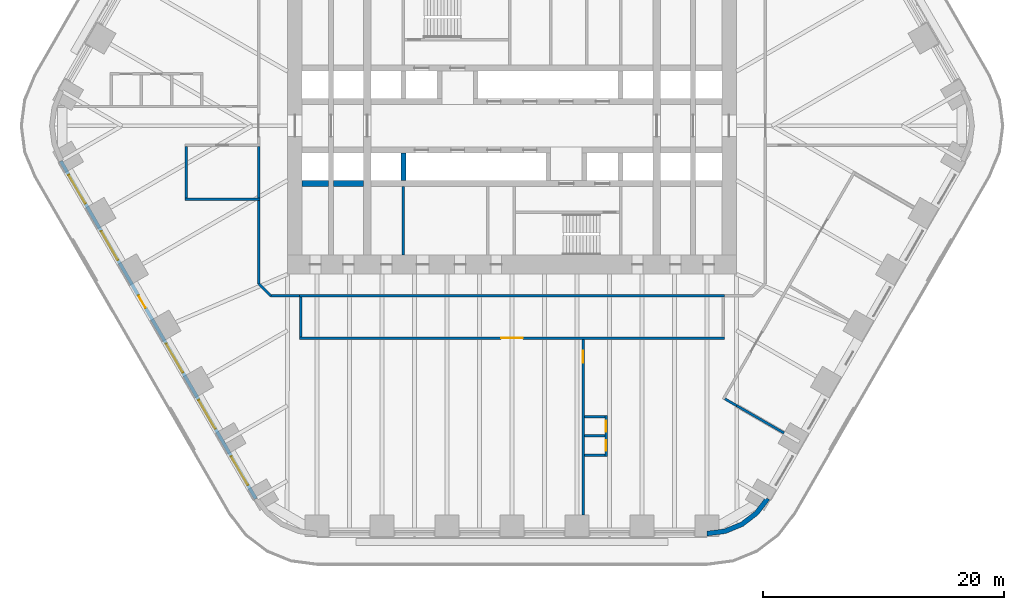
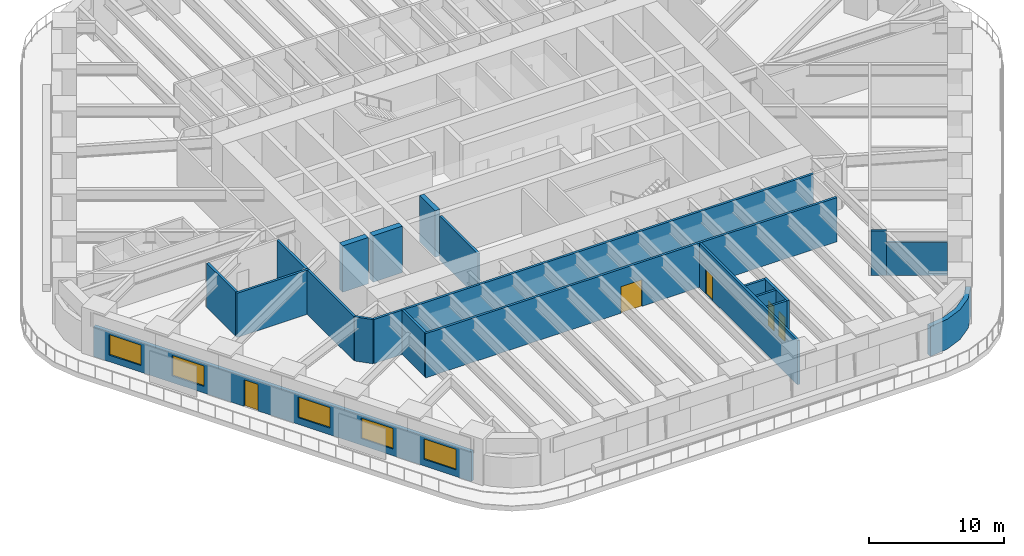
# One storey, part 16 of 23: 22 walls, 5 doors, 5 windows, 10 openings.
"""IFC4 building model written with IfcOpenShell, lengths in metres."""

from ifc_helpers import new_model, si_unit, direction, frame, frame_2d, origin, place, context, subcontext, project, spatial, polyline, rectangle, outline, extrude, material, layer, layer_set, type_object, element, fill, save


model = new_model("IFC4")

# Units and contexts
model_context = context("Model", 3, precision=1e-05, world=origin(), true_north=direction((0.0, 1.0)))
body_context = subcontext(model_context, "Body", "Model", "MODEL_VIEW")
ifc_project = project(units=[si_unit("LENGTHUNIT", "METRE"), si_unit("AREAUNIT", "SQUARE_METRE"), si_unit("VOLUMEUNIT", "CUBIC_METRE"), si_unit("PLANEANGLEUNIT", "RADIAN"), si_unit("MASSUNIT", "GRAM", prefix="KILO")], contexts=[model_context])

# Site, building, storey
site_placement = place(None, origin())
site = spatial("IfcSite", under=ifc_project, at=site_placement, CompositionType="ELEMENT")
building_placement = place(site_placement, origin())
building = spatial("IfcBuilding", under=site, at=building_placement, Name="Tarfa Lantern Tower", CompositionType="ELEMENT")
storey_placement = place(building_placement, frame((0.0, 0.0, 57.10009765625)))
storey = spatial("IfcBuildingStorey", under=building, at=storey_placement, Name="L12", CompositionType="ELEMENT", Elevation=57.10009765625)

# Wall, openings, door, windows
ifc_material_1 = material(Name="Limestone cladding on blockwork", Category="masonry")
ifc_layer_1 = layer(ifc_material_1, 0.300048828125)
ifc_layer_set_1 = layer_set([ifc_layer_1], Name="EW1 STONE-CLAD WALL 300")
wall_type_1 = type_object("IfcWallType", Name="EW1 STONE-CLAD WALL 300", PredefinedType="SOLIDWALL", material=ifc_layer_set_1)
wall_1_placement = place(storey_placement, frame((-37.39794921875, -2.925048828125, 0.0), z_axis=(0.0, 0.0, 1.0), x_axis=(0.499999163675, -0.866025886636, 0.0)))
wall_1 = element("IfcWall", 1, at=wall_1_placement, inside=storey, type_object=wall_type_1, Name="Stone wall SW", PredefinedType="SOLIDWALL", context=body_context, shape_type="SweptSolid", body=[
    extrude(rectangle(XDim=32.33154296875, YDim=0.300048828125, at=frame_2d((16.165771484375, 0.0))), origin(), (0.0, 0.0, 1.0), 2.699951171875),
])
opening_1_placement = place(wall_1_placement, frame((1.3193359375, 0.0, 0.60009765625)))
opening_1 = element("IfcOpeningElement", 2, at=opening_1_placement, cuts=wall_1, Name="Opening W2", PredefinedType="OPENING", context=body_context, shape_type="SweptSolid", body=[
    extrude(rectangle(XDim=2.75, YDim=1.85009765625, at=frame_2d((1.375, 0.925048828125))), frame((0.0, 0.159912109375, 0.0), z_axis=(0.0, -1.0, 0.0), x_axis=(1.0, 0.0, 0.0)), (0.0, 0.0, 1.0), 0.320068359375),
])
opening_2_placement = place(wall_1_placement, frame((6.7080078125, 0.0, 0.60009765625)))
opening_2 = element("IfcOpeningElement", 3, at=opening_2_placement, cuts=wall_1, Name="Opening W2", PredefinedType="OPENING", context=body_context, shape_type="SweptSolid", body=[
    extrude(rectangle(XDim=2.75, YDim=1.85009765625, at=frame_2d((1.375, 0.925048828125))), frame((0.0, 0.159912109375, 0.0), z_axis=(0.0, -1.0, 0.0), x_axis=(1.0, 0.0, 0.0)), (0.0, 0.0, 1.0), 0.320068359375),
])
opening_3_placement = place(wall_1_placement, frame((12.87158203125, 0.0, 0.0)))
opening_3 = element("IfcOpeningElement", 4, at=opening_3_placement, cuts=wall_1, Name="Opening D51", PredefinedType="OPENING", context=body_context, shape_type="SweptSolid", body=[
    extrude(rectangle(XDim=1.199951171875, YDim=2.39990234375, at=frame_2d((0.60009765625, 1.199951171875))), frame((0.0, 0.159912109375, 0.0), z_axis=(0.0, -1.0, 0.0), x_axis=(1.0, 0.0, 0.0)), (0.0, 0.0, 1.0), 0.320068359375),
])
opening_4_placement = place(wall_1_placement, frame((17.485107421875, 0.0, 0.60009765625)))
opening_4 = element("IfcOpeningElement", 5, at=opening_4_placement, cuts=wall_1, Name="Opening W2", PredefinedType="OPENING", context=body_context, shape_type="SweptSolid", body=[
    extrude(rectangle(XDim=2.75, YDim=1.85009765625, at=frame_2d((1.375, 0.925048828125))), frame((0.0, 0.159912109375, 0.0), z_axis=(0.0, -1.0, 0.0), x_axis=(1.0, 0.0, 0.0)), (0.0, 0.0, 1.0), 0.320068359375),
])
opening_5_placement = place(wall_1_placement, frame((22.873779296875, 0.0, 0.60009765625)))
opening_5 = element("IfcOpeningElement", 6, at=opening_5_placement, cuts=wall_1, Name="Opening W2", PredefinedType="OPENING", context=body_context, shape_type="SweptSolid", body=[
    extrude(rectangle(XDim=2.75, YDim=1.85009765625, at=frame_2d((1.375, 0.925048828125))), frame((0.0, 0.159912109375, 0.0), z_axis=(0.0, -1.0, 0.0), x_axis=(1.0, 0.0, 0.0)), (0.0, 0.0, 1.0), 0.320068359375),
])
opening_6_placement = place(wall_1_placement, frame((28.26220703125, 0.0, 0.60009765625)))
opening_6 = element("IfcOpeningElement", 7, at=opening_6_placement, cuts=wall_1, Name="Opening W2", PredefinedType="OPENING", context=body_context, shape_type="SweptSolid", body=[
    extrude(rectangle(XDim=2.75, YDim=1.85009765625, at=frame_2d((1.375, 0.925048828125))), frame((0.0, 0.159912109375, 0.0), z_axis=(0.0, -1.0, 0.0), x_axis=(1.0, 0.0, 0.0)), (0.0, 0.0, 1.0), 0.320068359375),
])
ifc_material_2 = material(Name="Aluminium framed glazed door", Category="aluminium")
door_type_1 = type_object("IfcDoorType", Name="BE3 BALCONY DOOR 1200x2400", OperationType="SINGLE_SWING_RIGHT", PredefinedType="DOOR", material=ifc_material_2)
door_1_placement = place(opening_3_placement, origin())
door_1 = element("IfcDoor", 8, at=door_1_placement, inside=storey, type_object=door_type_1, Name="Balcony door SW", OperationType="SINGLE_SWING_RIGHT", OverallHeight=2.39990234375, OverallWidth=1.199951171875, PredefinedType="DOOR", context=body_context, shape_type="SweptSolid", body=[
    extrude(rectangle(XDim=1.199951171875, YDim=2.39990234375, at=frame_2d((0.60009765625, 1.199951171875))), frame((0.0, 0.02490234375, 0.0), z_axis=(0.0, -1.0, 0.0), x_axis=(1.0, 0.0, 0.0)), (0.0, 0.0, 1.0), 0.050048828125),
])
fill(opening_3, door_1)
ifc_material_3 = material(Name="Aluminium frame, double glazed", Category="aluminium")
window_type = type_object("IfcWindowType", Name="W2 FULL-HEIGHT GLAZING 2750x1850", PartitioningType="SINGLE_PANEL", PredefinedType="WINDOW", material=ifc_material_3)
window_1_placement = place(opening_1_placement, origin())
window_1 = element("IfcWindow", 9, at=window_1_placement, inside=storey, type_object=window_type, Name="Window SW 1", OverallHeight=1.85009765625, OverallWidth=2.75, PartitioningType="SINGLE_PANEL", PredefinedType="WINDOW", context=body_context, shape_type="SweptSolid", body=[
    extrude(rectangle(XDim=2.75, YDim=1.85009765625, at=frame_2d((1.375, 0.925048828125))), frame((0.0, 0.030029296875, 0.0), z_axis=(0.0, -1.0, 0.0), x_axis=(1.0, 0.0, 0.0)), (0.0, 0.0, 1.0), 0.06005859375),
])
fill(opening_1, window_1)
window_2_placement = place(opening_2_placement, origin())
window_2 = element("IfcWindow", 10, at=window_2_placement, inside=storey, type_object=window_type, Name="Window SW 2", OverallHeight=1.85009765625, OverallWidth=2.75, PartitioningType="SINGLE_PANEL", PredefinedType="WINDOW", context=body_context, shape_type="SweptSolid", body=[
    extrude(rectangle(XDim=2.75, YDim=1.85009765625, at=frame_2d((1.375, 0.925048828125))), frame((0.0, 0.030029296875, 0.0), z_axis=(0.0, -1.0, 0.0), x_axis=(1.0, 0.0, 0.0)), (0.0, 0.0, 1.0), 0.06005859375),
])
fill(opening_2, window_2)
window_3_placement = place(opening_4_placement, origin())
window_3 = element("IfcWindow", 11, at=window_3_placement, inside=storey, type_object=window_type, Name="Window SW 4", OverallHeight=1.85009765625, OverallWidth=2.75, PartitioningType="SINGLE_PANEL", PredefinedType="WINDOW", context=body_context, shape_type="SweptSolid", body=[
    extrude(rectangle(XDim=2.75, YDim=1.85009765625, at=frame_2d((1.375, 0.925048828125))), frame((0.0, 0.030029296875, 0.0), z_axis=(0.0, -1.0, 0.0), x_axis=(1.0, 0.0, 0.0)), (0.0, 0.0, 1.0), 0.06005859375),
])
fill(opening_4, window_3)
window_4_placement = place(opening_5_placement, origin())
window_4 = element("IfcWindow", 12, at=window_4_placement, inside=storey, type_object=window_type, Name="Window SW 5", OverallHeight=1.85009765625, OverallWidth=2.75, PartitioningType="SINGLE_PANEL", PredefinedType="WINDOW", context=body_context, shape_type="SweptSolid", body=[
    extrude(rectangle(XDim=2.75, YDim=1.85009765625, at=frame_2d((1.375, 0.925048828125))), frame((0.0, 0.030029296875, 0.0), z_axis=(0.0, -1.0, 0.0), x_axis=(1.0, 0.0, 0.0)), (0.0, 0.0, 1.0), 0.06005859375),
])
fill(opening_5, window_4)
window_5_placement = place(opening_6_placement, origin())
window_5 = element("IfcWindow", 13, at=window_5_placement, inside=storey, type_object=window_type, Name="Window SW 6", OverallHeight=1.85009765625, OverallWidth=2.75, PartitioningType="SINGLE_PANEL", PredefinedType="WINDOW", context=body_context, shape_type="SweptSolid", body=[
    extrude(rectangle(XDim=2.75, YDim=1.85009765625, at=frame_2d((1.375, 0.925048828125))), frame((0.0, 0.030029296875, 0.0), z_axis=(0.0, -1.0, 0.0), x_axis=(1.0, 0.0, 0.0)), (0.0, 0.0, 1.0), 0.06005859375),
])
fill(opening_6, window_5)

# Walls
ifc_layer_2 = layer(ifc_material_1, 0.39990234375)
ifc_layer_set_2 = layer_set([ifc_layer_2], Name="EW2 CURVED STONE CORNER 400")
wall_type_2 = type_object("IfcWallType", Name="EW2 CURVED STONE CORNER 400", PredefinedType="SOLIDWALL", material=ifc_layer_set_2)
wall_2_placement = place(storey_placement, origin())
element("IfcWall", 14, at=wall_2_placement, inside=storey, type_object=wall_type_2, Name="Stone corner S-SE", PredefinedType="SOLIDWALL", context=body_context, shape_type="SweptSolid", body=[
    extrude(outline(polyline([(16.165771484375, -34.0), (17.71875, -33.795654296875), (19.165771484375, -33.196044921875), (20.408447265625, -32.24267578125), (21.362060546875, -31.0), (21.015625, -30.800048828125), (20.12548828125, -31.959716796875), (18.9658203125, -32.849853515625), (17.615234375, -33.4091796875), (16.165771484375, -33.60009765625), (16.165771484375, -34.0)])), origin(), (0.0, 0.0, 1.0), 2.699951171875),
])
ifc_material_4 = material(Name="Concrete blockwork", Category="masonry")
ifc_layer_3 = layer(ifc_material_4, 0.199951171875)
ifc_layer_set_3 = layer_set([ifc_layer_3], Name="IW1 BLOCKWORK PARTITION 200 EI 120")
wall_type_3 = type_object("IfcWallType", Name="IW1 BLOCKWORK PARTITION 200 EI 120", PredefinedType="PARTITIONING", material=ifc_layer_set_3)
wall_3_placement = place(storey_placement, frame((-9.0, -5.050048828125, 0.0), z_axis=(0.0, 0.0, 1.0), x_axis=(0.0, -1.0, 0.0)))
element("IfcWall", 15, at=wall_3_placement, inside=storey, type_object=wall_type_3, Name="Core partition", PredefinedType="PARTITIONING", context=body_context, shape_type="SweptSolid", body=[
    extrude(rectangle(XDim=5.64990234375, YDim=0.199951171875, at=frame_2d((2.824951171875, 0.0))), origin(), (0.0, 0.0, 1.0), 4.0),
])
ifc_material_5 = material(Name="Gypsum board on steel studs", Category="steel")
ifc_layer_4 = layer(ifc_material_5, 0.2099609375)
ifc_layer_set_4 = layer_set([ifc_layer_4], Name="IW2 ACOUSTIC PARTITION 200")
wall_type_4 = type_object("IfcWallType", Name="IW2 ACOUSTIC PARTITION 200", PredefinedType="PARTITIONING", material=ifc_layer_set_4)
wall_4_placement = place(storey_placement, frame((17.60009765625, -14.10009765625, 0.0), z_axis=(0.0, 0.0, 1.0), x_axis=(-1.0, 0.0, 0.0)))
element("IfcWall", 16, at=wall_4_placement, inside=storey, type_object=wall_type_4, Name="Partition", PredefinedType="PARTITIONING", context=body_context, shape_type="SweptSolid", body=[
    extrude(rectangle(XDim=35.2001953125, YDim=0.199951171875, at=frame_2d((17.60009765625, 0.0))), origin(), (0.0, 0.0, 1.0), 4.0),
])

# Wall, opening, door
wall_5_placement = place(storey_placement, frame((17.60009765625, -17.60009765625, 0.0), z_axis=(0.0, 0.0, 1.0), x_axis=(-1.0, 0.0, 0.0)))
wall_5 = element("IfcWall", 17, at=wall_5_placement, inside=storey, type_object=wall_type_4, Name="Partition", PredefinedType="PARTITIONING", context=body_context, shape_type="SweptSolid", body=[
    extrude(rectangle(XDim=35.2001953125, YDim=0.199951171875, at=frame_2d((17.60009765625, 0.0))), origin(), (0.0, 0.0, 1.0), 4.0),
])
opening_7_placement = place(wall_5_placement, frame((16.699951171875, 0.0, 0.0)))
opening_7 = element("IfcOpeningElement", 18, at=opening_7_placement, cuts=wall_5, Name="Opening D38", PredefinedType="OPENING", context=body_context, shape_type="SweptSolid", body=[
    extrude(rectangle(XDim=1.800048828125, YDim=2.39990234375, at=frame_2d((0.89990234375, 1.199951171875))), frame((0.0, 0.10986328125, 0.0), z_axis=(0.0, -1.0, 0.0), x_axis=(1.0, 0.0, 0.0)), (0.0, 0.0, 1.0), 0.219970703125),
])
ifc_material_6 = material(Name="Timber door", Category="wood")
door_type_2 = type_object("IfcDoorType", Name="DR2 ROOM DOOR 1800x2400", OperationType="DOUBLE_DOOR_SINGLE_SWING", PredefinedType="DOOR", material=ifc_material_6)
door_2_placement = place(opening_7_placement, frame((1.800048828125, 0.0, 0.0), z_axis=(0.0, 0.0, 1.0), x_axis=(-1.0, 0.0, 0.0)))
door_2 = element("IfcDoor", 19, at=door_2_placement, inside=storey, type_object=door_type_2, Name="Meeting room door", OperationType="DOUBLE_DOOR_SINGLE_SWING", OverallHeight=2.39990234375, OverallWidth=1.800048828125, PredefinedType="DOOR", context=body_context, shape_type="SweptSolid", body=[
    extrude(rectangle(XDim=1.800048828125, YDim=2.39990234375, at=frame_2d((0.89990234375, 1.199951171875))), frame((0.0, 0.02490234375, 0.0), z_axis=(0.0, -1.0, 0.0), x_axis=(1.0, 0.0, 0.0)), (0.0, 0.0, 1.0), 0.050048828125),
])
fill(opening_7, door_2)

# Walls
wall_6_placement = place(storey_placement, frame((-17.5, -14.199951171875, 0.0), z_axis=(0.0, 0.0, 1.0), x_axis=(0.0, -1.0, 0.0)))
element("IfcWall", 20, at=wall_6_placement, inside=storey, type_object=wall_type_4, Name="Partition", PredefinedType="PARTITIONING", context=body_context, shape_type="SweptSolid", body=[
    extrude(rectangle(XDim=3.300048828125, YDim=0.199951171875, at=frame_2d((1.64990234375, 0.0))), origin(), (0.0, 0.0, 1.0), 4.0),
])
wall_7_placement = place(storey_placement, frame((17.647705078125, -22.63330078125, 0.0), z_axis=(0.0, 0.0, 1.0), x_axis=(0.86603400694, -0.499985098601, 0.0)))
element("IfcWall", 21, at=wall_7_placement, inside=storey, type_object=wall_type_4, Name="Partition", PredefinedType="PARTITIONING", context=body_context, shape_type="SweptSolid", body=[
    extrude(rectangle(XDim=1.12646484375, YDim=0.199951171875, at=frame_2d((0.563232421875, 0.0))), origin(), (0.0, 0.0, 1.0), 4.0),
])
wall_8_placement = place(storey_placement, frame((18.623291015625, -23.196533203125, 0.0), z_axis=(0.0, 0.0, 1.0), x_axis=(0.866029199568, -0.499993425452, 0.0)))
element("IfcWall", 22, at=wall_8_placement, inside=storey, type_object=wall_type_4, Name="Partition", PredefinedType="PARTITIONING", context=body_context, shape_type="SweptSolid", body=[
    extrude(rectangle(XDim=4.5234375, YDim=0.199951171875, at=frame_2d((2.26171875, 0.0))), origin(), (0.0, 0.0, 1.0), 2.99169921875),
])
wall_9_placement = place(storey_placement, frame((-20.89990234375, -6.10009765625, 0.0), z_axis=(0.0, 0.0, 1.0), x_axis=(-1.0, 0.0, 0.0)))
element("IfcWall", 23, at=wall_9_placement, inside=storey, type_object=wall_type_4, Name="Partition", PredefinedType="PARTITIONING", context=body_context, shape_type="SweptSolid", body=[
    extrude(rectangle(XDim=6.2001953125, YDim=0.199951171875, at=frame_2d((3.10009765625, 0.0))), origin(), (0.0, 0.0, 1.0), 4.0),
])
for number, where, z_axis, x_axis, name in (
    (24, (-21.0, -1.699951171875, 0.0), (0.0, 0.0, 1.0), (0.0, -1.0, 0.0), "Partition"),
    (25, (-27.0, -1.699951171875, 0.0), (0.0, 0.0, 1.0), (0.0, -1.0, 0.0), "Partition"),
):
    element("IfcWall", number, at=place(storey_placement, frame(where, z_axis=z_axis, x_axis=x_axis)), inside=storey, type_object=wall_type_4, Name=name, PredefinedType="PARTITIONING", context=body_context, shape_type="SweptSolid", body=[
        extrude(rectangle(XDim=4.300048828125, YDim=0.199951171875, at=frame_2d((2.14990234375, 0.0))), origin(), (0.0, 0.0, 1.0), 4.0),
    ])
wall_10_placement = place(storey_placement, frame((-17.60009765625, -14.10009765625, 0.0), z_axis=(0.0, 0.0, 1.0), x_axis=(-1.0, 0.0, 0.0)))
element("IfcWall", 26, at=wall_10_placement, inside=storey, type_object=wall_type_4, Name="Partition", PredefinedType="PARTITIONING", context=body_context, shape_type="SweptSolid", body=[
    extrude(rectangle(XDim=2.39990234375, YDim=0.199951171875, at=frame_2d((1.199951171875, 0.0))), origin(), (0.0, 0.0, 1.0), 4.0),
])
wall_11_placement = place(storey_placement, frame((-20.0, -14.10009765625, 0.0), z_axis=(0.0, 0.0, 1.0), x_axis=(-0.707106781187, 0.707106781187, 0.0)))
element("IfcWall", 27, at=wall_11_placement, inside=storey, type_object=wall_type_4, Name="Partition", PredefinedType="PARTITIONING", context=body_context, shape_type="SweptSolid", body=[
    extrude(rectangle(XDim=1.414306640625, YDim=0.199951171875, at=frame_2d((0.70703125, 0.0))), origin(), (0.0, 0.0, 1.0), 4.0),
])
wall_12_placement = place(storey_placement, frame((-21.0, -13.10009765625, 0.0), z_axis=(0.0, 0.0, 1.0), x_axis=(0.0, 1.0, 0.0)))
element("IfcWall", 28, at=wall_12_placement, inside=storey, type_object=wall_type_4, Name="Partition", PredefinedType="PARTITIONING", context=body_context, shape_type="SweptSolid", body=[
    extrude(rectangle(XDim=6.899169921875, YDim=0.199951171875, at=frame_2d((3.44970703125, 0.0))), origin(), (0.0, 0.0, 1.0), 4.0),
])

# Wall, opening, door
wall_13_placement = place(storey_placement, frame((5.89990234375, -17.699951171875, 0.0), z_axis=(0.0, 0.0, 1.0), x_axis=(0.0, -1.0, 0.0)))
wall_13 = element("IfcWall", 29, at=wall_13_placement, inside=storey, type_object=wall_type_4, Name="Partition", PredefinedType="PARTITIONING", context=body_context, shape_type="SweptSolid", body=[
    extrude(rectangle(XDim=14.550048828125, YDim=0.199951171875, at=frame_2d((7.27490234375, 0.0))), origin(), (0.0, 0.0, 1.0), 4.0),
])
opening_8_placement = place(wall_13_placement, frame((0.955078125, 0.0, 0.0)))
opening_8 = element("IfcOpeningElement", 30, at=opening_8_placement, cuts=wall_13, Name="Opening D47", PredefinedType="OPENING", context=body_context, shape_type="SweptSolid", body=[
    extrude(rectangle(XDim=1.0, YDim=2.199951171875, at=frame_2d((0.5, 1.10009765625))), frame((0.0, 0.10986328125, 0.0), z_axis=(0.0, -1.0, 0.0), x_axis=(1.0, 0.0, 0.0)), (0.0, 0.0, 1.0), 0.219970703125),
])
door_type_3 = type_object("IfcDoorType", Name="DR1 ROOM DOOR 1000x2200", OperationType="SINGLE_SWING_LEFT", PredefinedType="DOOR", material=ifc_material_6)
door_3_placement = place(opening_8_placement, origin())
door_3 = element("IfcDoor", 31, at=door_3_placement, inside=storey, type_object=door_type_3, Name="Zone door", OperationType="SINGLE_SWING_RIGHT", OverallHeight=2.199951171875, OverallWidth=1.0, PredefinedType="DOOR", context=body_context, shape_type="SweptSolid", body=[
    extrude(rectangle(XDim=1.0, YDim=2.199951171875, at=frame_2d((0.5, 1.10009765625))), frame((0.0, 0.02490234375, 0.0), z_axis=(0.0, -1.0, 0.0), x_axis=(1.0, 0.0, 0.0)), (0.0, 0.0, 1.0), 0.050048828125),
])
fill(opening_8, door_3)

# Wall, openings, doors
wall_14_placement = place(storey_placement, frame((7.800048828125, -24.00244140625, 0.0), z_axis=(0.0, 0.0, 1.0), x_axis=(0.0, -1.0, 0.0)))
wall_14 = element("IfcWall", 32, at=wall_14_placement, inside=storey, type_object=wall_type_4, Name="Partition", PredefinedType="PARTITIONING", context=body_context, shape_type="SweptSolid", body=[
    extrude(rectangle(XDim=3.400146484375, YDim=0.199951171875, at=frame_2d((1.7001953125, 0.0))), origin(), (0.0, 0.0, 1.0), 4.0),
])
opening_9_placement = place(wall_14_placement, frame((0.449951171875, 0.0, 0.0)))
opening_9 = element("IfcOpeningElement", 33, at=opening_9_placement, cuts=wall_14, Name="Opening D42", PredefinedType="OPENING", context=body_context, shape_type="SweptSolid", body=[
    extrude(rectangle(XDim=0.89990234375, YDim=2.199951171875, at=frame_2d((0.449951171875, 1.10009765625))), frame((0.0, 0.10986328125, 0.0), z_axis=(0.0, -1.0, 0.0), x_axis=(1.0, 0.0, 0.0)), (0.0, 0.0, 1.0), 0.219970703125),
])
opening_10_placement = place(wall_14_placement, frame((2.050048828125, 0.0, 0.0)))
opening_10 = element("IfcOpeningElement", 34, at=opening_10_placement, cuts=wall_14, Name="Opening D43", PredefinedType="OPENING", context=body_context, shape_type="SweptSolid", body=[
    extrude(rectangle(XDim=0.89990234375, YDim=2.199951171875, at=frame_2d((0.449951171875, 1.10009765625))), frame((0.0, 0.10986328125, 0.0), z_axis=(0.0, -1.0, 0.0), x_axis=(1.0, 0.0, 0.0)), (0.0, 0.0, 1.0), 0.219970703125),
])
door_type_4 = type_object("IfcDoorType", Name="DR3 ROOM DOOR 900x2200", OperationType="SINGLE_SWING_LEFT", PredefinedType="DOOR", material=ifc_material_6)
door_4_placement = place(opening_9_placement, frame((0.89990234375, 0.0, 0.0), z_axis=(0.0, 0.0, 1.0), x_axis=(-1.0, 0.0, 0.0)))
door_4 = element("IfcDoor", 35, at=door_4_placement, inside=storey, type_object=door_type_4, Name="Phone booth door", OperationType="SINGLE_SWING_LEFT", OverallHeight=2.199951171875, OverallWidth=0.89990234375, PredefinedType="DOOR", context=body_context, shape_type="SweptSolid", body=[
    extrude(rectangle(XDim=0.89990234375, YDim=2.199951171875, at=frame_2d((0.449951171875, 1.10009765625))), frame((0.0, 0.02490234375, 0.0), z_axis=(0.0, -1.0, 0.0), x_axis=(1.0, 0.0, 0.0)), (0.0, 0.0, 1.0), 0.050048828125),
])
fill(opening_9, door_4)
door_5_placement = place(opening_10_placement, frame((0.89990234375, 0.0, 0.0), z_axis=(0.0, 0.0, 1.0), x_axis=(-1.0, 0.0, 0.0)))
door_5 = element("IfcDoor", 36, at=door_5_placement, inside=storey, type_object=door_type_4, Name="Phone booth door", OperationType="SINGLE_SWING_RIGHT", OverallHeight=2.199951171875, OverallWidth=0.89990234375, PredefinedType="DOOR", context=body_context, shape_type="SweptSolid", body=[
    extrude(rectangle(XDim=0.89990234375, YDim=2.199951171875, at=frame_2d((0.449951171875, 1.10009765625))), frame((0.0, 0.02490234375, 0.0), z_axis=(0.0, -1.0, 0.0), x_axis=(1.0, 0.0, 0.0)), (0.0, 0.0, 1.0), 0.050048828125),
])
fill(opening_10, door_5)

# Walls
for number, where, z_axis, x_axis, name in (
    (37, (6.0, -24.1025390625, 0.0), (0.0, 0.0, 1.0), (1.0, 0.0, 0.0), "Partition"),
    (38, (6.0, -25.702392578125, 0.0), (0.0, 0.0, 1.0), (1.0, 0.0, 0.0), "Partition"),
    (39, (6.0, -27.302490234375, 0.0), (0.0, 0.0, 1.0), (1.0, 0.0, 0.0), "Partition"),
):
    element("IfcWall", number, at=place(storey_placement, frame(where, z_axis=z_axis, x_axis=x_axis)), inside=storey, type_object=wall_type_4, Name=name, PredefinedType="PARTITIONING", context=body_context, shape_type="SweptSolid", body=[
        extrude(rectangle(XDim=1.699951171875, YDim=0.199951171875, at=frame_2d((0.85009765625, 0.0))), origin(), (0.0, 0.0, 1.0), 4.0),
    ])
ifc_material_7 = material(Name="Concrete C80/95", Category="concrete")
ifc_layer_5 = layer(ifc_material_7, 0.5)
ifc_layer_set_5 = layer_set([ifc_layer_5], Name="SW5 CORE WALL 500")
wall_type_5 = type_object("IfcWallType", Name="SW5 CORE WALL 500", PredefinedType="SHEAR", material=ifc_layer_set_5)
wall_15_placement = place(storey_placement, frame((-12.300048828125, -4.800048828125, 0.0), z_axis=(0.0, 0.0, 1.0), x_axis=(-1.0, 0.0, 0.0)))
element("IfcWall", 40, at=wall_15_placement, inside=storey, type_object=wall_type_5, Name="Core wall rear S", PredefinedType="SHEAR", context=body_context, shape_type="SweptSolid", body=[
    extrude(rectangle(XDim=2.5, YDim=0.5, at=frame_2d((1.25, 0.0))), origin(), (0.0, 0.0, 1.0), 4.199951171875),
])
wall_16_placement = place(storey_placement, frame((-15.199951171875, -4.800048828125, 0.0), z_axis=(0.0, 0.0, 1.0), x_axis=(-1.0, 0.0, 0.0)))
element("IfcWall", 41, at=wall_16_placement, inside=storey, type_object=wall_type_5, Name="Core wall rear S", PredefinedType="SHEAR", context=body_context, shape_type="SweptSolid", body=[
    extrude(rectangle(XDim=2.199951171875, YDim=0.5, at=frame_2d((1.10009765625, 0.0))), origin(), (0.0, 0.0, 1.0), 4.199951171875),
])
ifc_layer_6 = layer(ifc_material_7, 0.39990234375)
ifc_layer_set_6 = layer_set([ifc_layer_6], Name="SW6 CORE WALL 400")
wall_type_6 = type_object("IfcWallType", Name="SW6 CORE WALL 400", PredefinedType="SHEAR", material=ifc_layer_set_6)
wall_17_placement = place(storey_placement, frame((-9.0, -2.25, 0.0), z_axis=(0.0, 0.0, 1.0), x_axis=(0.0, -1.0, 0.0)))
element("IfcWall", 42, at=wall_17_placement, inside=storey, type_object=wall_type_6, Name="Core wall divider S", PredefinedType="SHEAR", context=body_context, shape_type="SweptSolid", body=[
    extrude(rectangle(XDim=2.300048828125, YDim=0.39990234375, at=frame_2d((1.14990234375, 0.0))), origin(), (0.0, 0.0, 1.0), 4.199951171875),
])

save(model, "model.ifc")
